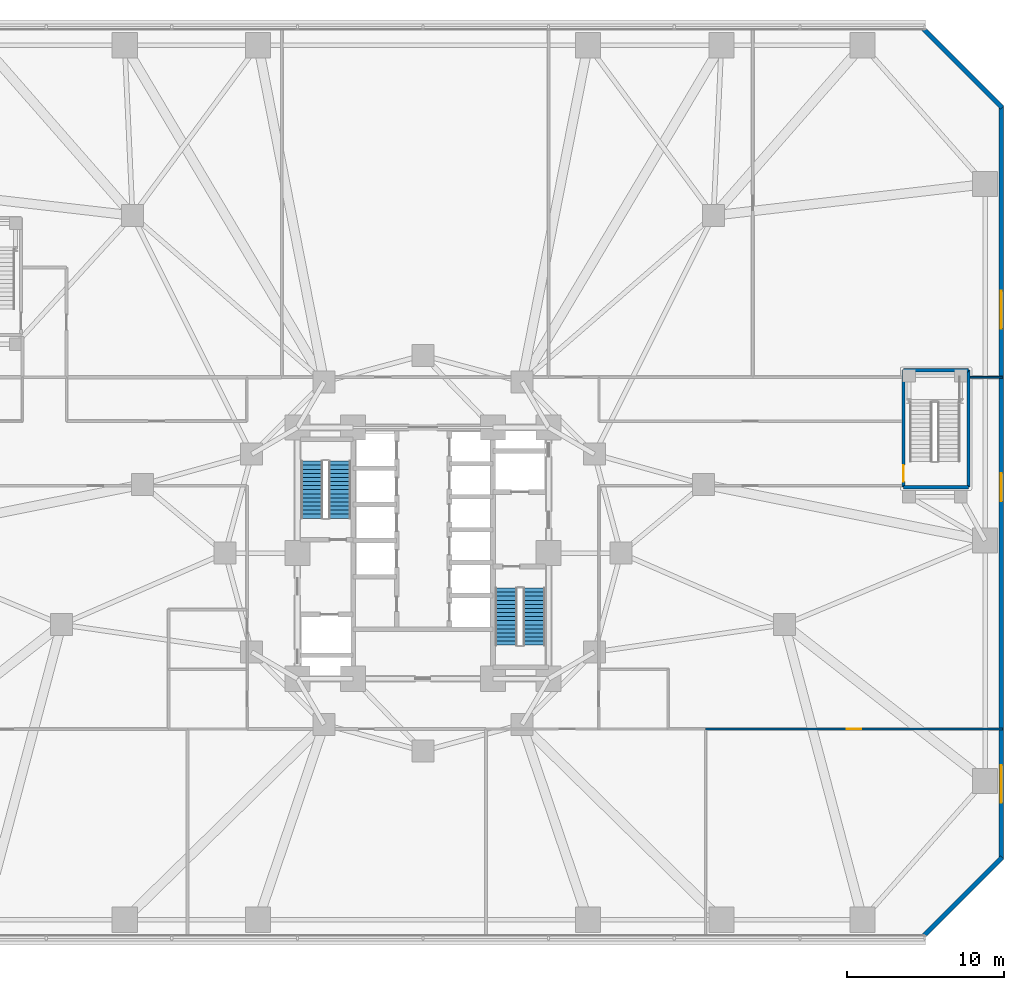
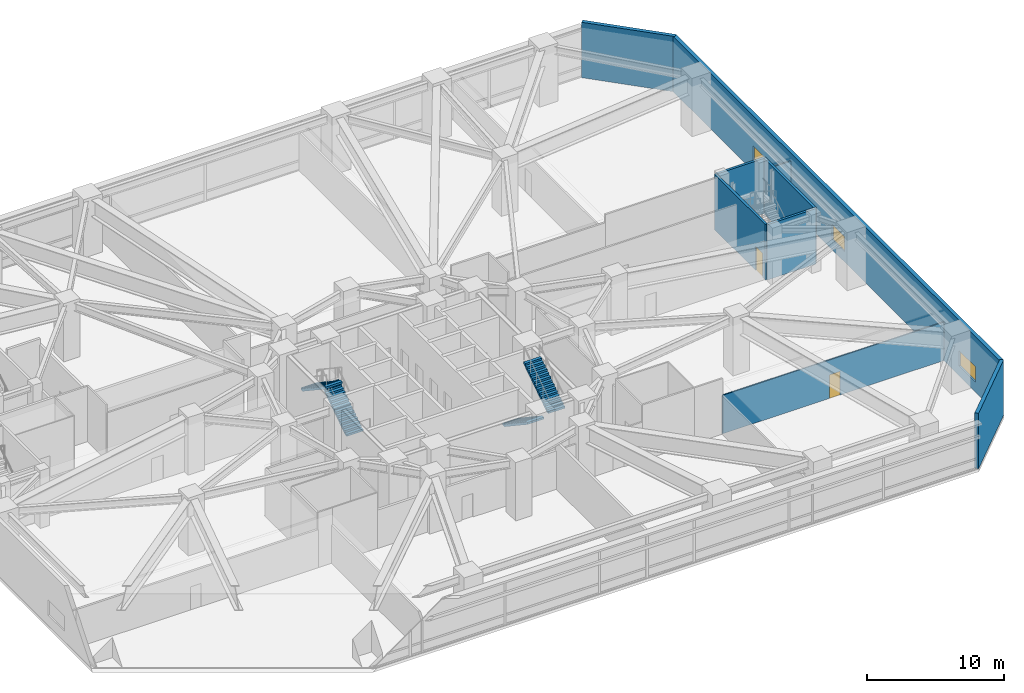
# One storey, part 18 of 28: 9 walls, 4 stair flights, 3 windows, 2 doors, 5 openings, 2 elements without a shape of their own.
"""IFC4 building model written with IfcOpenShell, lengths in metres."""

from ifc_helpers import new_model, si_unit, direction, frame, frame_2d, origin, place, context, subcontext, project, spatial, polyline, rectangle, outline, extrude, material, layer, layer_set, type_object, element, fill, aggregate, save


model = new_model("IFC4")

# Units and contexts
model_context = context("Model", 3, precision=1e-05, world=origin(), true_north=direction((0.0, 1.0)))
body_context = subcontext(model_context, "Body", "Model", "MODEL_VIEW")
ifc_project = project(units=[si_unit("LENGTHUNIT", "METRE"), si_unit("AREAUNIT", "SQUARE_METRE"), si_unit("VOLUMEUNIT", "CUBIC_METRE"), si_unit("PLANEANGLEUNIT", "RADIAN"), si_unit("MASSUNIT", "GRAM", prefix="KILO")], contexts=[model_context])

# Site, building, storey
site_placement = place(None, origin())
site = spatial("IfcSite", under=ifc_project, at=site_placement, CompositionType="ELEMENT")
building_placement = place(site_placement, origin())
building = spatial("IfcBuilding", under=site, at=building_placement, Name="Terralouvre Media Tower", CompositionType="ELEMENT")
storey_placement = place(building_placement, frame((0.0, 0.0, 10.39990234375)))
storey = spatial("IfcBuildingStorey", under=building, at=storey_placement, Name="L02", CompositionType="ELEMENT", Elevation=10.39990234375)

# Wall, opening, door
ifc_material_1 = material(Name="Low-iron laminated double glazing with solar-control coating", Category="glass")
ifc_layer_1 = layer(ifc_material_1, 0.10009765625, Name="Demountable Glazed Office Partition PT-GL100")
ifc_layer_set_1 = layer_set([ifc_layer_1], Name="Low-iron laminated double glazing with solar-control coating")
wall_type_1 = type_object("IfcWallType", Name="Demountable Glazed Office Partition PT-GL100", PredefinedType="MOVABLE", material=ifc_layer_set_1)
wall_1_placement = place(storey_placement, frame((36.919921875, -11.199951171875, 0.0), z_axis=(0.0, 0.0, 1.0), x_axis=(-1.0, 0.0, 0.0)))
wall_1 = element("IfcWall", 1, at=wall_1_placement, inside=storey, type_object=wall_type_1, Name="L02 Interior Partition 039", PredefinedType="MOVABLE", context=body_context, shape_type="SweptSolid", body=[
    extrude(rectangle(XDim=18.919921875, YDim=0.10009765625, at=frame_2d((9.4599609375, 0.0))), origin(), (0.0, 0.0, 1.0), 3.43505859375),
])
opening_1_placement = place(wall_1_placement, frame((9.0, 0.0, 0.0)))
opening_1 = element("IfcOpeningElement", 2, at=opening_1_placement, cuts=wall_1, Name="Opening ID-03-92X210", PredefinedType="OPENING", context=body_context, shape_type="SweptSolid", body=[
    extrude(rectangle(XDim=0.919921875, YDim=2.10009765625, at=frame_2d((0.4599609375, 1.050048828125))), frame((0.0, 0.06005859375, 0.0), z_axis=(0.0, -1.0, 0.0), x_axis=(1.0, 0.0, 0.0)), (0.0, 0.0, 1.0), 0.1201171875),
])
ifc_material_2 = material(Name="Engineered hardwood acoustic timber leaf", Category="wood")
door_type_1 = type_object("IfcDoorType", Name="Accessible Restroom and Suite Door ID-03 (920x2100)", OperationType="NOTDEFINED", PredefinedType="DOOR", material=ifc_material_2)
door_1_placement = place(opening_1_placement, origin())
door_1 = element("IfcDoor", 3, at=door_1_placement, inside=storey, type_object=door_type_1, Name="L02 L02 Technical Schedule Conference Room 5 Door", OperationType="SINGLE_SWING_RIGHT", OverallHeight=2.10009765625, OverallWidth=0.919921875, PredefinedType="DOOR", context=body_context, shape_type="SweptSolid", body=[
    extrude(rectangle(XDim=0.919921875, YDim=2.10009765625, at=frame_2d((0.4599609375, 1.050048828125))), frame((0.0, 0.02490234375, 0.0), z_axis=(0.0, -1.0, 0.0), x_axis=(1.0, 0.0, 0.0)), (0.0, 0.0, 1.0), 0.050048828125),
])
fill(opening_1, door_1)

# Walls
ifc_material_3 = material(Name="Fire-rated gypsum board drywall partition")
ifc_layer_2 = layer(ifc_material_3, 0.199951171875, Name="Fire-Rated Shaft and Lobby Partition FW-200")
ifc_layer_set_2 = layer_set([ifc_layer_2], Name="Fire-rated gypsum board drywall partition")
wall_type_2 = type_object("IfcWallType", Name="Fire-Rated Shaft and Lobby Partition FW-200", PredefinedType="SOLIDWALL", material=ifc_layer_set_2)
wall_2_placement = place(storey_placement, frame((30.60009765625, 4.199951171875, 0.0), z_axis=(0.0, 0.0, 1.0), x_axis=(1.0, 0.0, 0.0)))
element("IfcWall", 4, at=wall_2_placement, inside=storey, type_object=wall_type_2, Name="L02 ST04 Stair Shaft Wall S", PredefinedType="SOLIDWALL", context=body_context, shape_type="SweptSolid", body=[
    extrude(rectangle(XDim=4.14990234375, YDim=0.199951171875, at=frame_2d((2.074951171875, 0.0))), origin(), (0.0, 0.0, 1.0), 4.9501953125),
])
wall_3_placement = place(storey_placement, frame((34.75, 4.199951171875, 0.0), z_axis=(0.0, 0.0, 1.0), x_axis=(0.0, 1.0, 0.0)))
element("IfcWall", 5, at=wall_3_placement, inside=storey, type_object=wall_type_2, Name="L02 ST04 Stair Shaft Wall E", PredefinedType="SOLIDWALL", context=body_context, shape_type="SweptSolid", body=[
    extrude(rectangle(XDim=7.449951171875, YDim=0.199951171875, at=frame_2d((3.72509765625, 0.0))), origin(), (0.0, 0.0, 1.0), 4.9501953125),
])
wall_4_placement = place(storey_placement, frame((34.75, 11.64990234375, 0.0), z_axis=(0.0, 0.0, 1.0), x_axis=(-1.0, 0.0, 0.0)))
element("IfcWall", 6, at=wall_4_placement, inside=storey, type_object=wall_type_2, Name="L02 ST04 Stair Shaft Wall N", PredefinedType="SOLIDWALL", context=body_context, shape_type="SweptSolid", body=[
    extrude(rectangle(XDim=4.14990234375, YDim=0.199951171875, at=frame_2d((2.074951171875, 0.0))), origin(), (0.0, 0.0, 1.0), 4.9501953125),
])

# Wall, opening, door
wall_5_placement = place(storey_placement, frame((30.60009765625, 11.64990234375, 0.0), z_axis=(0.0, 0.0, 1.0), x_axis=(0.0, -1.0, 0.0)))
wall_5 = element("IfcWall", 7, at=wall_5_placement, inside=storey, type_object=wall_type_2, Name="L02 ST04 Stair Shaft Wall W", PredefinedType="SOLIDWALL", context=body_context, shape_type="SweptSolid", body=[
    extrude(rectangle(XDim=7.449951171875, YDim=0.199951171875, at=frame_2d((3.72509765625, 0.0))), origin(), (0.0, 0.0, 1.0), 4.9501953125),
])
opening_2_placement = place(wall_5_placement, frame((6.0400390625, 0.0, 0.0)))
opening_2 = element("IfcOpeningElement", 8, at=opening_2_placement, cuts=wall_5, Name="Opening FD-01-105X215", PredefinedType="OPENING", context=body_context, shape_type="SweptSolid", body=[
    extrude(rectangle(XDim=1.050048828125, YDim=2.14990234375, at=frame_2d((0.52490234375, 1.074951171875))), frame((0.0, 0.10986328125, 0.0), z_axis=(0.0, -1.0, 0.0), x_axis=(1.0, 0.0, 0.0)), (0.0, 0.0, 1.0), 0.219970703125),
])
ifc_material_4 = material(Name="Galvanised steel fire-resisting leaf", Category="steel")
door_type_2 = type_object("IfcDoorType", Name="Stair and Firefighting Lobby Fire Door FD-01 (1050x2150)", OperationType="NOTDEFINED", PredefinedType="DOOR", material=ifc_material_4)
door_2_placement = place(opening_2_placement, origin())
door_2 = element("IfcDoor", 9, at=door_2_placement, inside=storey, type_object=door_type_2, Name="L02 ST04 Pressurised Stair Door", OperationType="SINGLE_SWING_LEFT", OverallHeight=2.14990234375, OverallWidth=1.050048828125, PredefinedType="DOOR", context=body_context, shape_type="SweptSolid", body=[
    extrude(rectangle(XDim=1.050048828125, YDim=2.14990234375, at=frame_2d((0.52490234375, 1.074951171875))), frame((0.0, 0.02490234375, 0.0), z_axis=(0.0, -1.0, 0.0), x_axis=(1.0, 0.0, 0.0)), (0.0, 0.0, 1.0), 0.050048828125),
])
fill(opening_2, door_2)

# Wall
ifc_material_5 = material(Name="Kiln-fired architectural terracotta rainscreen cladding", Category="masonry")
ifc_layer_3 = layer(ifc_material_5, 0.300048828125, Name="Podium Acoustic Terracotta Cladding Wall EW-TC300")
ifc_layer_set_3 = layer_set([ifc_layer_3], Name="Kiln-fired architectural terracotta rainscreen cladding")
wall_type_3 = type_object("IfcWallType", Name="Podium Acoustic Terracotta Cladding Wall EW-TC300", PredefinedType="SOLIDWALL", material=ifc_layer_set_3)
wall_6_placement = place(storey_placement, frame((31.876220703125, -24.376220703125, 0.0), z_axis=(0.0, 0.0, 1.0), x_axis=(0.707106781187, 0.707106781187, 0.0)))
element("IfcWall", 10, at=wall_6_placement, inside=storey, type_object=wall_type_3, Name="L02 Podium Terracotta Wall F1", PredefinedType="SOLIDWALL", context=body_context, shape_type="SweptSolid", body=[
    extrude(rectangle(XDim=7.071044921875, YDim=0.300048828125, at=frame_2d((3.53564453125, 0.0))), origin(), (0.0, 0.0, 1.0), 4.9501953125),
])

# Wall, openings, windows
wall_7_placement = place(storey_placement, frame((36.824951171875, -19.5, 0.0), z_axis=(0.0, 0.0, 1.0), x_axis=(0.0, 1.0, 0.0)))
wall_7 = element("IfcWall", 11, at=wall_7_placement, inside=storey, type_object=wall_type_3, Name="L02 Podium Terracotta Wall F2", PredefinedType="SOLIDWALL", context=body_context, shape_type="SweptSolid", body=[
    extrude(rectangle(XDim=48.0, YDim=0.300048828125, at=frame_2d((24.0, 0.0))), origin(), (0.0, 0.0, 1.0), 4.9501953125),
])
opening_3_placement = place(wall_7_placement, frame((3.60009765625, 0.0, 0.89990234375)))
opening_3 = element("IfcOpeningElement", 12, at=opening_3_placement, cuts=wall_7, Name="Opening W-01", PredefinedType="OPENING", context=body_context, shape_type="SweptSolid", body=[
    extrude(rectangle(XDim=2.39990234375, YDim=1.35009765625, at=frame_2d((1.199951171875, 0.675048828125))), frame((0.0, 0.159912109375, 0.0), z_axis=(0.0, -1.0, 0.0), x_axis=(1.0, 0.0, 0.0)), (0.0, 0.0, 1.0), 0.320068359375),
])
opening_4_placement = place(wall_7_placement, frame((22.800048828125, 0.0, 0.89990234375)))
opening_4 = element("IfcOpeningElement", 13, at=opening_4_placement, cuts=wall_7, Name="Opening W-02", PredefinedType="OPENING", context=body_context, shape_type="SweptSolid", body=[
    extrude(rectangle(XDim=1.800048828125, YDim=1.35009765625, at=frame_2d((0.89990234375, 0.675048828125))), frame((0.0, 0.159912109375, 0.0), z_axis=(0.0, -1.0, 0.0), x_axis=(1.0, 0.0, 0.0)), (0.0, 0.0, 1.0), 0.320068359375),
])
opening_5_placement = place(wall_7_placement, frame((33.800048828125, 0.0, 0.89990234375)))
opening_5 = element("IfcOpeningElement", 14, at=opening_5_placement, cuts=wall_7, Name="Opening W-01", PredefinedType="OPENING", context=body_context, shape_type="SweptSolid", body=[
    extrude(rectangle(XDim=2.39990234375, YDim=1.35009765625, at=frame_2d((1.199951171875, 0.675048828125))), frame((0.0, 0.159912109375, 0.0), z_axis=(0.0, -1.0, 0.0), x_axis=(1.0, 0.0, 0.0)), (0.0, 0.0, 1.0), 0.320068359375),
])
ifc_material_6 = material(Name="Low-iron laminated double glazing with solar-control coating", Category="glass")
window_type_1 = type_object("IfcWindowType", Name="Podium Acoustic Studio Window W-01", PartitioningType="SINGLE_PANEL", PredefinedType="WINDOW", material=ifc_material_6)
window_1_placement = place(opening_3_placement, origin())
window_1 = element("IfcWindow", 15, at=window_1_placement, inside=storey, type_object=window_type_1, Name="L02 Podium Window WIN-L02-F2-1", OverallHeight=1.35009765625, OverallWidth=2.39990234375, PartitioningType="SINGLE_PANEL", PredefinedType="WINDOW", context=body_context, shape_type="SweptSolid", body=[
    extrude(rectangle(XDim=2.39990234375, YDim=1.35009765625, at=frame_2d((1.199951171875, 0.675048828125))), frame((0.0, 0.030029296875, 0.0), z_axis=(0.0, -1.0, 0.0), x_axis=(1.0, 0.0, 0.0)), (0.0, 0.0, 1.0), 0.06005859375),
])
fill(opening_3, window_1)
window_2_placement = place(opening_5_placement, origin())
window_2 = element("IfcWindow", 16, at=window_2_placement, inside=storey, type_object=window_type_1, Name="L02 Podium Window WIN-L02-F2-3", OverallHeight=1.35009765625, OverallWidth=2.39990234375, PartitioningType="SINGLE_PANEL", PredefinedType="WINDOW", context=body_context, shape_type="SweptSolid", body=[
    extrude(rectangle(XDim=2.39990234375, YDim=1.35009765625, at=frame_2d((1.199951171875, 0.675048828125))), frame((0.0, 0.030029296875, 0.0), z_axis=(0.0, -1.0, 0.0), x_axis=(1.0, 0.0, 0.0)), (0.0, 0.0, 1.0), 0.06005859375),
])
fill(opening_5, window_2)
ifc_material_7 = material(Name="Low-iron laminated double glazing with solar-control coating", Category="glass")
window_type_2 = type_object("IfcWindowType", Name="Podium Press Office Window W-02", PartitioningType="SINGLE_PANEL", PredefinedType="WINDOW", material=ifc_material_7)
window_3_placement = place(opening_4_placement, origin())
window_3 = element("IfcWindow", 17, at=window_3_placement, inside=storey, type_object=window_type_2, Name="L02 Podium Window WIN-L02-F2-2", OverallHeight=1.35009765625, OverallWidth=1.800048828125, PartitioningType="SINGLE_PANEL", PredefinedType="WINDOW", context=body_context, shape_type="SweptSolid", body=[
    extrude(rectangle(XDim=1.800048828125, YDim=1.35009765625, at=frame_2d((0.89990234375, 0.675048828125))), frame((0.0, 0.030029296875, 0.0), z_axis=(0.0, -1.0, 0.0), x_axis=(1.0, 0.0, 0.0)), (0.0, 0.0, 1.0), 0.06005859375),
])
fill(opening_4, window_3)

# Walls
wall_8_placement = place(storey_placement, frame((36.876220703125, 28.376220703125, 0.0), z_axis=(0.0, 0.0, 1.0), x_axis=(-0.707106781187, 0.707106781187, 0.0)))
element("IfcWall", 18, at=wall_8_placement, inside=storey, type_object=wall_type_3, Name="L02 Podium Terracotta Wall F3", PredefinedType="SOLIDWALL", context=body_context, shape_type="SweptSolid", body=[
    extrude(rectangle(XDim=7.071044921875, YDim=0.300048828125, at=frame_2d((3.53564453125, 0.0))), origin(), (0.0, 0.0, 1.0), 4.9501953125),
])
ifc_material_8 = material(Name="Fire-rated gypsum board drywall partition")
ifc_layer_4 = layer(ifc_material_8, 0.114990234375, Name="Restroom and Pantry Partition PT-115")
ifc_layer_set_4 = layer_set([ifc_layer_4], Name="Fire-rated gypsum board drywall partition")
wall_type_4 = type_object("IfcWallType", Name="Restroom and Pantry Partition PT-115", PredefinedType="PARTITIONING", material=ifc_layer_set_4)
wall_9_placement = place(storey_placement, frame((36.919921875, 11.199951171875, 0.0), z_axis=(0.0, 0.0, 1.0), x_axis=(-1.0, 0.0, 0.0)))
element("IfcWall", 19, at=wall_9_placement, inside=storey, type_object=wall_type_4, Name="L02 Interior Partition 040", PredefinedType="PARTITIONING", context=body_context, shape_type="SweptSolid", body=[
    extrude(rectangle(XDim=2.06982421875, YDim=0.114990234375, at=frame_2d((1.034912109375, 0.0))), origin(), (0.0, 0.0, 1.0), 4.235107421875),
])

# Stair, stair flights
ifc_material_9 = material(Name="Concrete C45/55", Category="concrete")
stair_type_1 = type_object("IfcStairType", Name="Dogleg Stair Assembly ST-01", PredefinedType="HALF_TURN_STAIR", material=ifc_material_9)
stair_1_placement = place(storey_placement, origin())
stair_1 = element("IfcStair", 20, at=stair_1_placement, inside=storey, type_object=stair_type_1, Name="L02 Core Pressurised Exit Stair ST-01", PredefinedType="HALF_TURN_STAIR")
ifc_material_10 = material(Name="Concrete C45/55", Category="concrete")
stair_flight_type = type_object("IfcStairFlightType", Name="Reinforced Concrete Stair Flight SF-RC1", PredefinedType="STRAIGHT", material=ifc_material_10)
stair_flight_1_placement = place(storey_placement, frame((-5.300048828125, 2.219970703125, 0.0), z_axis=(0.0, 0.0, 1.0), x_axis=(0.0, 1.0, 0.0)))
stair_flight_1 = element("IfcStairFlight", 21, at=stair_flight_1_placement, type_object=stair_flight_type, Name="ST-01 flight 1", NumberOfRisers=15, NumberOfTreads=14, PredefinedType="STRAIGHT", RiserHeight=0.173333333, TreadLength=0.26, context=body_context, shape_type="SweptSolid", body=[
    extrude(outline(polyline([(0.0, 0.0), (0.0, 0.17333984375), (0.260009765625, 0.17333984375), (0.260009765625, 0.3466796875), (0.52001953125, 0.3466796875), (0.52001953125, 0.52001953125), (0.780029296875, 0.52001953125), (0.780029296875, 0.693359375), (1.0400390625, 0.693359375), (1.0400390625, 0.86669921875), (1.300048828125, 0.86669921875), (1.300048828125, 1.0400390625), (1.56005859375, 1.0400390625), (1.56005859375, 1.21337890625), (1.820068359375, 1.21337890625), (1.820068359375, 1.38671875), (2.080078125, 1.38671875), (2.080078125, 1.56005859375), (2.340087890625, 1.56005859375), (2.340087890625, 1.7333984375), (2.60009765625, 1.7333984375), (2.60009765625, 1.90673828125), (2.860107421875, 1.90673828125), (2.860107421875, 2.080078125), (3.1201171875, 2.080078125), (3.1201171875, 2.25341796875), (3.3798828125, 2.25341796875), (3.3798828125, 2.4267578125), (3.639892578125, 2.4267578125), (3.639892578125, 2.60009765625), (3.639892578125, 2.24658203125), (0.270263671875, 0.0), (0.0, 0.0)])), frame((0.0, 0.699951171875, 0.0), z_axis=(0.0, -1.0, 0.0), x_axis=(1.0, 0.0, 0.0)), (0.0, 0.0, 1.0), 1.39990234375),
])
stair_flight_2_placement = place(storey_placement, frame((-7.080078125, 5.860107421875, 2.60009765625), z_axis=(0.0, 0.0, 1.0), x_axis=(0.0, -1.0, 0.0)))
stair_flight_2 = element("IfcStairFlight", 22, at=stair_flight_2_placement, type_object=stair_flight_type, Name="ST-01 flight 2", NumberOfRisers=15, NumberOfTreads=14, PredefinedType="STRAIGHT", RiserHeight=0.173333333, TreadLength=0.26, context=body_context, shape_type="SweptSolid", body=[
    extrude(outline(polyline([(0.0, 0.0), (0.0, 0.17333984375), (0.260009765625, 0.17333984375), (0.260009765625, 0.3466796875), (0.52001953125, 0.3466796875), (0.52001953125, 0.52001953125), (0.780029296875, 0.52001953125), (0.780029296875, 0.693359375), (1.0400390625, 0.693359375), (1.0400390625, 0.86669921875), (1.300048828125, 0.86669921875), (1.300048828125, 1.0400390625), (1.56005859375, 1.0400390625), (1.56005859375, 1.21337890625), (1.820068359375, 1.21337890625), (1.820068359375, 1.38671875), (2.080078125, 1.38671875), (2.080078125, 1.56005859375), (2.340087890625, 1.56005859375), (2.340087890625, 1.7333984375), (2.60009765625, 1.7333984375), (2.60009765625, 1.90673828125), (2.860107421875, 1.90673828125), (2.860107421875, 2.080078125), (3.1201171875, 2.080078125), (3.1201171875, 2.25341796875), (3.3798828125, 2.25341796875), (3.3798828125, 2.4267578125), (3.639892578125, 2.4267578125), (3.639892578125, 2.60009765625), (3.639892578125, 2.24658203125), (0.270263671875, 0.0), (0.0, 0.0)])), frame((0.0, 0.699951171875, 0.0), z_axis=(0.0, -1.0, 0.0), x_axis=(1.0, 0.0, 0.0)), (0.0, 0.0, 1.0), 1.39990234375),
])
aggregate(stair_1, [stair_flight_1, stair_flight_2])

ifc_material_11 = material(Name="Concrete C45/55", Category="concrete")
stair_type_2 = type_object("IfcStairType", Name="Dogleg Stair Assembly ST-02", PredefinedType="HALF_TURN_STAIR", material=ifc_material_11)
stair_2_placement = place(storey_placement, origin())
stair_2 = element("IfcStair", 23, at=stair_2_placement, inside=storey, type_object=stair_type_2, Name="L02 Core Pressurised Exit Stair ST-02", PredefinedType="HALF_TURN_STAIR")
stair_flight_3_placement = place(storey_placement, frame((5.300048828125, -2.219970703125, 0.0), z_axis=(0.0, 0.0, 1.0), x_axis=(0.0, -1.0, 0.0)))
stair_flight_3 = element("IfcStairFlight", 24, at=stair_flight_3_placement, type_object=stair_flight_type, Name="ST-02 flight 1", NumberOfRisers=15, NumberOfTreads=14, PredefinedType="STRAIGHT", RiserHeight=0.173333333, TreadLength=0.26, context=body_context, shape_type="SweptSolid", body=[
    extrude(outline(polyline([(0.0, 0.0), (0.0, 0.17333984375), (0.260009765625, 0.17333984375), (0.260009765625, 0.3466796875), (0.52001953125, 0.3466796875), (0.52001953125, 0.52001953125), (0.780029296875, 0.52001953125), (0.780029296875, 0.693359375), (1.0400390625, 0.693359375), (1.0400390625, 0.86669921875), (1.300048828125, 0.86669921875), (1.300048828125, 1.0400390625), (1.56005859375, 1.0400390625), (1.56005859375, 1.21337890625), (1.820068359375, 1.21337890625), (1.820068359375, 1.38671875), (2.080078125, 1.38671875), (2.080078125, 1.56005859375), (2.340087890625, 1.56005859375), (2.340087890625, 1.7333984375), (2.60009765625, 1.7333984375), (2.60009765625, 1.90673828125), (2.860107421875, 1.90673828125), (2.860107421875, 2.080078125), (3.1201171875, 2.080078125), (3.1201171875, 2.25341796875), (3.3798828125, 2.25341796875), (3.3798828125, 2.4267578125), (3.639892578125, 2.4267578125), (3.639892578125, 2.60009765625), (3.639892578125, 2.24658203125), (0.270263671875, 0.0), (0.0, 0.0)])), frame((0.0, 0.699951171875, 0.0), z_axis=(0.0, -1.0, 0.0), x_axis=(1.0, 0.0, 0.0)), (0.0, 0.0, 1.0), 1.39990234375),
])
stair_flight_4_placement = place(storey_placement, frame((7.080078125, -5.860107421875, 2.60009765625), z_axis=(0.0, 0.0, 1.0), x_axis=(0.0, 1.0, 0.0)))
stair_flight_4 = element("IfcStairFlight", 25, at=stair_flight_4_placement, type_object=stair_flight_type, Name="ST-02 flight 2", NumberOfRisers=15, NumberOfTreads=14, PredefinedType="STRAIGHT", RiserHeight=0.173333333, TreadLength=0.26, context=body_context, shape_type="SweptSolid", body=[
    extrude(outline(polyline([(0.0, 0.0), (0.0, 0.17333984375), (0.260009765625, 0.17333984375), (0.260009765625, 0.3466796875), (0.52001953125, 0.3466796875), (0.52001953125, 0.52001953125), (0.780029296875, 0.52001953125), (0.780029296875, 0.693359375), (1.0400390625, 0.693359375), (1.0400390625, 0.86669921875), (1.300048828125, 0.86669921875), (1.300048828125, 1.0400390625), (1.56005859375, 1.0400390625), (1.56005859375, 1.21337890625), (1.820068359375, 1.21337890625), (1.820068359375, 1.38671875), (2.080078125, 1.38671875), (2.080078125, 1.56005859375), (2.340087890625, 1.56005859375), (2.340087890625, 1.7333984375), (2.60009765625, 1.7333984375), (2.60009765625, 1.90673828125), (2.860107421875, 1.90673828125), (2.860107421875, 2.080078125), (3.1201171875, 2.080078125), (3.1201171875, 2.25341796875), (3.3798828125, 2.25341796875), (3.3798828125, 2.4267578125), (3.639892578125, 2.4267578125), (3.639892578125, 2.60009765625), (3.639892578125, 2.24658203125), (0.270263671875, 0.0), (0.0, 0.0)])), frame((0.0, 0.699951171875, 0.0), z_axis=(0.0, -1.0, 0.0), x_axis=(1.0, 0.0, 0.0)), (0.0, 0.0, 1.0), 1.39990234375),
])
aggregate(stair_2, [stair_flight_3, stair_flight_4])

save(model, "model.ifc")
